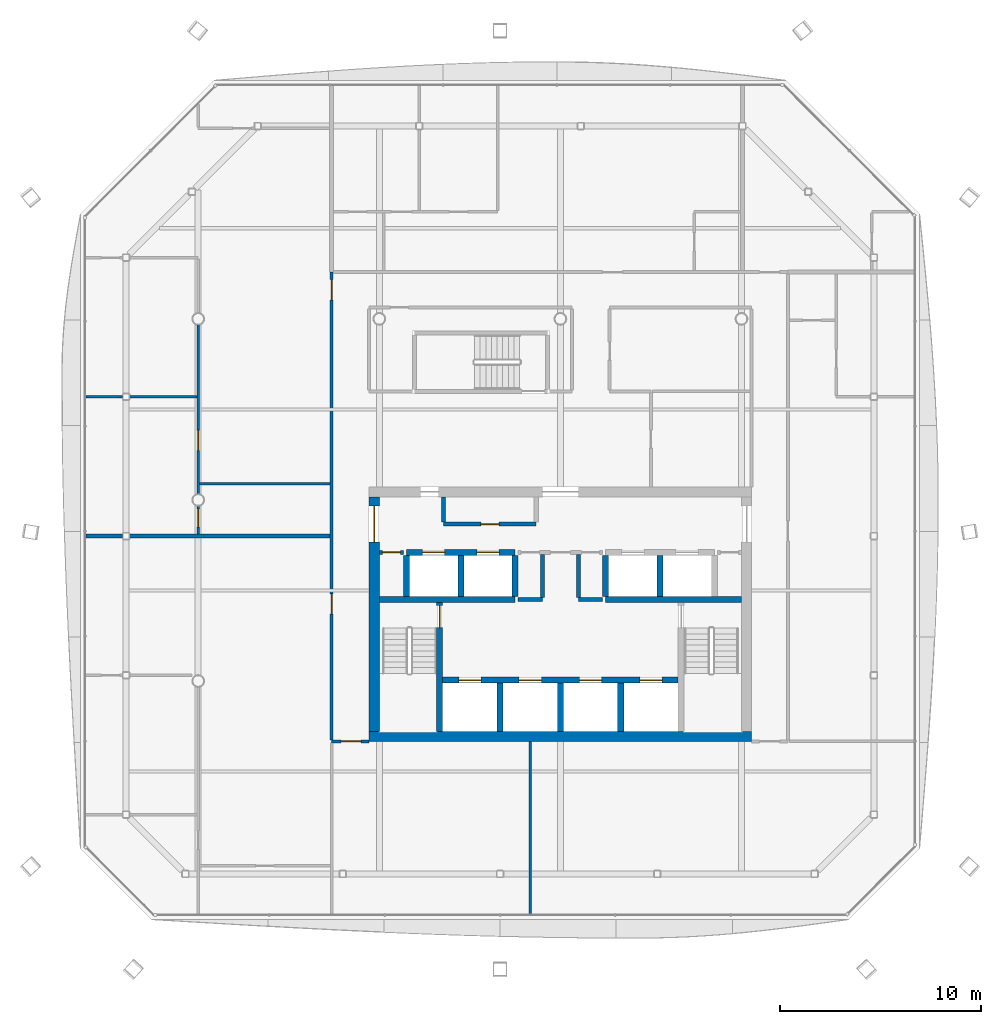
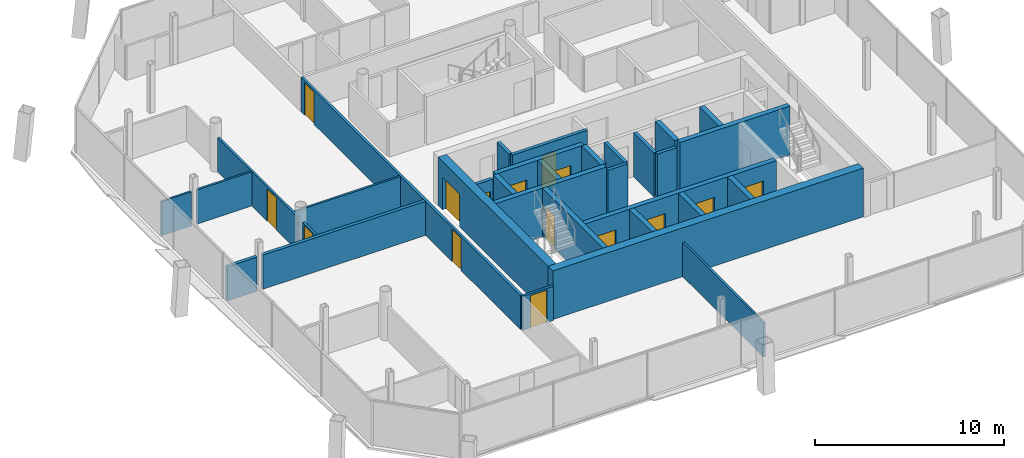
# One storey, part 14 of 20: 32 walls, 15 doors, 15 openings.
"""IFC4 building model written with IfcOpenShell, lengths in metres."""

from ifc_helpers import new_model, si_unit, direction, frame, frame_2d, origin, place, context, subcontext, project, spatial, rectangle, extrude, material, layer, layer_set, type_object, element, fill, save


model = new_model("IFC4")

# Units and contexts
model_context = context("Model", 3, precision=1e-05, world=origin(), true_north=direction((0.0, 1.0)))
body_context = subcontext(model_context, "Body", "Model", "MODEL_VIEW")
ifc_project = project(units=[si_unit("LENGTHUNIT", "METRE"), si_unit("AREAUNIT", "SQUARE_METRE"), si_unit("VOLUMEUNIT", "CUBIC_METRE"), si_unit("PLANEANGLEUNIT", "RADIAN"), si_unit("MASSUNIT", "GRAM", prefix="KILO")], contexts=[model_context])

# Site, building, storey
site_placement = place(None, origin())
site = spatial("IfcSite", under=ifc_project, at=site_placement, CompositionType="ELEMENT")
building_placement = place(site_placement, origin())
building = spatial("IfcBuilding", under=site, at=building_placement, Name="Tskaro Facet Tower", CompositionType="ELEMENT")
storey_placement = place(building_placement, frame((0.0, 0.0, 187.949951171875)))
storey = spatial("IfcBuildingStorey", under=building, at=storey_placement, Name="L47", CompositionType="ELEMENT", Elevation=187.949951171875)

# Wall, openings, doors
ifc_material_1 = material(Name="Concrete C60/75", Category="concrete")
ifc_layer_1 = layer(ifc_material_1, 0.300048828125, Name="Concrete C60/75")
ifc_layer_set_1 = layer_set([ifc_layer_1], Name="Concrete C60/75")
wall_type_1 = type_object("IfcWallType", Name="CORE-SHAFT", PredefinedType="SHEAR", material=ifc_layer_set_1)
wall_1_placement = place(storey_placement, frame((-5.85009765625, -8.949951171875, 0.0), z_axis=(0.0, 0.0, 1.0), x_axis=(1.0, 0.0, 0.0)))
wall_1 = element("IfcWall", 1, at=wall_1_placement, inside=storey, type_object=wall_type_1, Name="Shaft wall W007", PredefinedType="SHEAR", context=body_context, shape_type="SweptSolid", body=[
    extrude(rectangle(XDim=11.7001953125, YDim=0.300048828125, at=frame_2d((5.85009765625, 0.0))), origin(), (0.0, 0.0, 1.0), 3.150146484375),
])
opening_1_placement = place(wall_1_placement, frame((0.800048828125, 0.0, 0.0)))
opening_1 = element("IfcOpeningElement", 2, at=opening_1_placement, cuts=wall_1, Name="Opening LD-FF1", PredefinedType="OPENING", context=body_context, shape_type="SweptSolid", body=[
    extrude(rectangle(XDim=1.10009765625, YDim=2.10009765625, at=frame_2d((0.550048828125, 1.050048828125))), frame((0.0, 0.159912109375, 0.0), z_axis=(0.0, -1.0, 0.0), x_axis=(1.0, 0.0, 0.0)), (0.0, 0.0, 1.0), 0.320068359375),
])
opening_2_placement = place(wall_1_placement, frame((3.800048828125, 0.0, 0.0)))
opening_2 = element("IfcOpeningElement", 3, at=opening_2_placement, cuts=wall_1, Name="Opening LD-FF2", PredefinedType="OPENING", context=body_context, shape_type="SweptSolid", body=[
    extrude(rectangle(XDim=1.10009765625, YDim=2.10009765625, at=frame_2d((0.550048828125, 1.050048828125))), frame((0.0, 0.159912109375, 0.0), z_axis=(0.0, -1.0, 0.0), x_axis=(1.0, 0.0, 0.0)), (0.0, 0.0, 1.0), 0.320068359375),
])
opening_3_placement = place(wall_1_placement, frame((6.800048828125, 0.0, 0.0)))
opening_3 = element("IfcOpeningElement", 4, at=opening_3_placement, cuts=wall_1, Name="Opening LD-SV1", PredefinedType="OPENING", context=body_context, shape_type="SweptSolid", body=[
    extrude(rectangle(XDim=1.10009765625, YDim=2.10009765625, at=frame_2d((0.550048828125, 1.050048828125))), frame((0.0, 0.159912109375, 0.0), z_axis=(0.0, -1.0, 0.0), x_axis=(1.0, 0.0, 0.0)), (0.0, 0.0, 1.0), 0.320068359375),
])
opening_4_placement = place(wall_1_placement, frame((9.800048828125, 0.0, 0.0)))
opening_4 = element("IfcOpeningElement", 5, at=opening_4_placement, cuts=wall_1, Name="Opening LD-SV2", PredefinedType="OPENING", context=body_context, shape_type="SweptSolid", body=[
    extrude(rectangle(XDim=1.10009765625, YDim=2.10009765625, at=frame_2d((0.550048828125, 1.050048828125))), frame((0.0, 0.159912109375, 0.0), z_axis=(0.0, -1.0, 0.0), x_axis=(1.0, 0.0, 0.0)), (0.0, 0.0, 1.0), 0.320068359375),
])
ifc_material_2 = material(Name="Stainless steel", Category="steel")
door_type_1 = type_object("IfcDoorType", Name="D-LANDING", OperationType="NOTDEFINED", PredefinedType="DOOR", material=ifc_material_2)
door_1_placement = place(opening_1_placement, origin())
door_1 = element("IfcDoor", 6, at=door_1_placement, inside=storey, type_object=door_type_1, Name="Landing door FF1", OperationType="DOUBLE_DOOR_SLIDING", OverallHeight=2.10009765625, OverallWidth=1.10009765625, PredefinedType="DOOR", context=body_context, shape_type="SweptSolid", body=[
    extrude(rectangle(XDim=1.10009765625, YDim=2.10009765625, at=frame_2d((0.550048828125, 1.050048828125))), frame((0.0, 0.02490234375, 0.0), z_axis=(0.0, -1.0, 0.0), x_axis=(1.0, 0.0, 0.0)), (0.0, 0.0, 1.0), 0.050048828125),
])
fill(opening_1, door_1)
door_2_placement = place(opening_2_placement, origin())
door_2 = element("IfcDoor", 7, at=door_2_placement, inside=storey, type_object=door_type_1, Name="Landing door FF2", OperationType="DOUBLE_DOOR_SLIDING", OverallHeight=2.10009765625, OverallWidth=1.10009765625, PredefinedType="DOOR", context=body_context, shape_type="SweptSolid", body=[
    extrude(rectangle(XDim=1.10009765625, YDim=2.10009765625, at=frame_2d((0.550048828125, 1.050048828125))), frame((0.0, 0.02490234375, 0.0), z_axis=(0.0, -1.0, 0.0), x_axis=(1.0, 0.0, 0.0)), (0.0, 0.0, 1.0), 0.050048828125),
])
fill(opening_2, door_2)
door_3_placement = place(opening_3_placement, origin())
door_3 = element("IfcDoor", 8, at=door_3_placement, inside=storey, type_object=door_type_1, Name="Landing door SV1", OperationType="DOUBLE_DOOR_SLIDING", OverallHeight=2.10009765625, OverallWidth=1.10009765625, PredefinedType="DOOR", context=body_context, shape_type="SweptSolid", body=[
    extrude(rectangle(XDim=1.10009765625, YDim=2.10009765625, at=frame_2d((0.550048828125, 1.050048828125))), frame((0.0, 0.02490234375, 0.0), z_axis=(0.0, -1.0, 0.0), x_axis=(1.0, 0.0, 0.0)), (0.0, 0.0, 1.0), 0.050048828125),
])
fill(opening_3, door_3)
door_4_placement = place(opening_4_placement, origin())
door_4 = element("IfcDoor", 9, at=door_4_placement, inside=storey, type_object=door_type_1, Name="Landing door SV2", OperationType="DOUBLE_DOOR_SLIDING", OverallHeight=2.10009765625, OverallWidth=1.10009765625, PredefinedType="DOOR", context=body_context, shape_type="SweptSolid", body=[
    extrude(rectangle(XDim=1.10009765625, YDim=2.10009765625, at=frame_2d((0.550048828125, 1.050048828125))), frame((0.0, 0.02490234375, 0.0), z_axis=(0.0, -1.0, 0.0), x_axis=(1.0, 0.0, 0.0)), (0.0, 0.0, 1.0), 0.050048828125),
])
fill(opening_4, door_4)

# Walls
for number, where, z_axis, x_axis, name in (
    (10, (-9.0, -4.949951171875, 0.0), (0.0, 0.0, 1.0), (1.0, 0.0, 0.0), "Shaft wall W010"),
    (11, (2.25, -4.949951171875, 0.0), (0.0, 0.0, 1.0), (1.0, 0.0, 0.0), "Shaft wall W013"),
):
    element("IfcWall", number, at=place(storey_placement, frame(where, z_axis=z_axis, x_axis=x_axis)), inside=storey, type_object=wall_type_1, Name=name, PredefinedType="SHEAR", context=body_context, shape_type="SweptSolid", body=[
        extrude(rectangle(XDim=6.75, YDim=0.300048828125, at=frame_2d((3.375, 0.0))), origin(), (0.0, 0.0, 1.0), 3.150146484375),
    ])

# Wall, openings, doors
wall_2_placement = place(storey_placement, frame((-7.64990234375, -2.60009765625, 0.0), z_axis=(0.0, 0.0, 1.0), x_axis=(1.0, 0.0, 0.0)))
wall_2 = element("IfcWall", 12, at=wall_2_placement, inside=storey, type_object=wall_type_1, Name="Shaft wall W015", PredefinedType="SHEAR", context=body_context, shape_type="SweptSolid", body=[
    extrude(rectangle(XDim=5.39990234375, YDim=0.300048828125, at=frame_2d((2.699951171875, 0.0))), origin(), (0.0, 0.0, 1.0), 3.150146484375),
])
opening_5_placement = place(wall_2_placement, frame((0.800048828125, 0.0, 0.0)))
opening_5 = element("IfcOpeningElement", 13, at=opening_5_placement, cuts=wall_2, Name="Opening LD-HB1", PredefinedType="OPENING", context=body_context, shape_type="SweptSolid", body=[
    extrude(rectangle(XDim=1.10009765625, YDim=2.10009765625, at=frame_2d((0.550048828125, 1.050048828125))), frame((0.0, 0.159912109375, 0.0), z_axis=(0.0, -1.0, 0.0), x_axis=(1.0, 0.0, 0.0)), (0.0, 0.0, 1.0), 0.320068359375),
])
opening_6_placement = place(wall_2_placement, frame((3.5, 0.0, 0.0)))
opening_6 = element("IfcOpeningElement", 14, at=opening_6_placement, cuts=wall_2, Name="Opening LD-HB2", PredefinedType="OPENING", context=body_context, shape_type="SweptSolid", body=[
    extrude(rectangle(XDim=1.10009765625, YDim=2.10009765625, at=frame_2d((0.550048828125, 1.050048828125))), frame((0.0, 0.159912109375, 0.0), z_axis=(0.0, -1.0, 0.0), x_axis=(1.0, 0.0, 0.0)), (0.0, 0.0, 1.0), 0.320068359375),
])
door_5_placement = place(opening_5_placement, origin())
door_5 = element("IfcDoor", 15, at=door_5_placement, inside=storey, type_object=door_type_1, Name="Landing door HB1", OperationType="DOUBLE_DOOR_SLIDING", OverallHeight=2.10009765625, OverallWidth=1.10009765625, PredefinedType="DOOR", context=body_context, shape_type="SweptSolid", body=[
    extrude(rectangle(XDim=1.10009765625, YDim=2.10009765625, at=frame_2d((0.550048828125, 1.050048828125))), frame((0.0, 0.02490234375, 0.0), z_axis=(0.0, -1.0, 0.0), x_axis=(1.0, 0.0, 0.0)), (0.0, 0.0, 1.0), 0.050048828125),
])
fill(opening_5, door_5)
door_6_placement = place(opening_6_placement, origin())
door_6 = element("IfcDoor", 16, at=door_6_placement, inside=storey, type_object=door_type_1, Name="Landing door HB2", OperationType="DOUBLE_DOOR_SLIDING", OverallHeight=2.10009765625, OverallWidth=1.10009765625, PredefinedType="DOOR", context=body_context, shape_type="SweptSolid", body=[
    extrude(rectangle(XDim=1.10009765625, YDim=2.10009765625, at=frame_2d((0.550048828125, 1.050048828125))), frame((0.0, 0.02490234375, 0.0), z_axis=(0.0, -1.0, 0.0), x_axis=(1.0, 0.0, 0.0)), (0.0, 0.0, 1.0), 0.050048828125),
])
fill(opening_6, door_6)

# Wall
wall_3_placement = place(storey_placement, frame((-7.64990234375, -4.800048828125, 0.0), z_axis=(0.0, 0.0, 1.0), x_axis=(0.0, 1.0, 0.0)))
element("IfcWall", 17, at=wall_3_placement, inside=storey, type_object=wall_type_1, Name="Shaft wall W055", PredefinedType="SHEAR", context=body_context, shape_type="SweptSolid", body=[
    extrude(rectangle(XDim=2.050048828125, YDim=0.300048828125, at=frame_2d((1.02490234375, 0.0))), origin(), (0.0, 0.0, 1.0), 3.150146484375),
])

# Wall, opening, door
wall_4_placement = place(storey_placement, frame((-6.0, -11.5, 0.0), z_axis=(0.0, 0.0, 1.0), x_axis=(0.0, 1.0, 0.0)))
wall_4 = element("IfcWall", 18, at=wall_4_placement, inside=storey, type_object=wall_type_1, Name="Shaft wall W059", PredefinedType="SHEAR", context=body_context, shape_type="SweptSolid", body=[
    extrude(rectangle(XDim=6.39990234375, YDim=0.300048828125, at=frame_2d((3.199951171875, 0.0))), origin(), (0.0, 0.0, 1.0), 3.150146484375),
])
opening_7_placement = place(wall_4_placement, frame((5.14990234375, 0.0, 0.0)))
opening_7 = element("IfcOpeningElement", 19, at=opening_7_placement, cuts=wall_4, Name="Opening ST-1-D1", PredefinedType="OPENING", context=body_context, shape_type="SweptSolid", body=[
    extrude(rectangle(XDim=1.10009765625, YDim=2.10009765625, at=frame_2d((0.550048828125, 1.050048828125))), frame((0.0, 0.159912109375, 0.0), z_axis=(0.0, -1.0, 0.0), x_axis=(1.0, 0.0, 0.0)), (0.0, 0.0, 1.0), 0.320068359375),
])
ifc_material_3 = material(Name="Steel", Category="steel")
door_type_2 = type_object("IfcDoorType", Name="D-STAIR", OperationType="NOTDEFINED", PredefinedType="DOOR", material=ifc_material_3)
door_7_placement = place(opening_7_placement, origin())
door_7 = element("IfcDoor", 20, at=door_7_placement, inside=storey, type_object=door_type_2, Name="Stair door 1", OperationType="SINGLE_SWING_LEFT", OverallHeight=2.10009765625, OverallWidth=1.10009765625, PredefinedType="DOOR", context=body_context, shape_type="SweptSolid", body=[
    extrude(rectangle(XDim=1.10009765625, YDim=2.10009765625, at=frame_2d((0.550048828125, 1.050048828125))), frame((0.0, 0.02490234375, 0.0), z_axis=(0.0, -1.0, 0.0), x_axis=(1.0, 0.0, 0.0)), (0.0, 0.0, 1.0), 0.050048828125),
])
fill(opening_7, door_7)

# Walls
wall_5_placement = place(storey_placement, frame((-4.949951171875, -4.800048828125, 0.0), z_axis=(0.0, 0.0, 1.0), x_axis=(0.0, 1.0, 0.0)))
element("IfcWall", 21, at=wall_5_placement, inside=storey, type_object=wall_type_1, Name="Shaft wall W061", PredefinedType="SHEAR", context=body_context, shape_type="SweptSolid", body=[
    extrude(rectangle(XDim=2.050048828125, YDim=0.300048828125, at=frame_2d((1.02490234375, 0.0))), origin(), (0.0, 0.0, 1.0), 3.150146484375),
])
wall_6_placement = place(storey_placement, frame((-3.0, -11.5, 0.0), z_axis=(0.0, 0.0, 1.0), x_axis=(0.0, 1.0, 0.0)))
element("IfcWall", 22, at=wall_6_placement, inside=storey, type_object=wall_type_1, Name="Shaft wall W063", PredefinedType="SHEAR", context=body_context, shape_type="SweptSolid", body=[
    extrude(rectangle(XDim=2.39990234375, YDim=0.300048828125, at=frame_2d((1.199951171875, 0.0))), origin(), (0.0, 0.0, 1.0), 3.150146484375),
])
wall_7_placement = place(storey_placement, frame((-2.25, -4.800048828125, 0.0), z_axis=(0.0, 0.0, 1.0), x_axis=(0.0, 1.0, 0.0)))
element("IfcWall", 23, at=wall_7_placement, inside=storey, type_object=wall_type_1, Name="Shaft wall W064", PredefinedType="SHEAR", context=body_context, shape_type="SweptSolid", body=[
    extrude(rectangle(XDim=2.050048828125, YDim=0.300048828125, at=frame_2d((1.02490234375, 0.0))), origin(), (0.0, 0.0, 1.0), 3.150146484375),
])
wall_8_placement = place(storey_placement, frame((0.0, -11.5, 0.0), z_axis=(0.0, 0.0, 1.0), x_axis=(0.0, 1.0, 0.0)))
element("IfcWall", 24, at=wall_8_placement, inside=storey, type_object=wall_type_1, Name="Shaft wall W069", PredefinedType="SHEAR", context=body_context, shape_type="SweptSolid", body=[
    extrude(rectangle(XDim=2.39990234375, YDim=0.300048828125, at=frame_2d((1.199951171875, 0.0))), origin(), (0.0, 0.0, 1.0), 3.150146484375),
])
wall_9_placement = place(storey_placement, frame((2.25, -4.800048828125, 0.0), z_axis=(0.0, 0.0, 1.0), x_axis=(0.0, 1.0, 0.0)))
element("IfcWall", 25, at=wall_9_placement, inside=storey, type_object=wall_type_1, Name="Shaft wall W072", PredefinedType="SHEAR", context=body_context, shape_type="SweptSolid", body=[
    extrude(rectangle(XDim=2.050048828125, YDim=0.300048828125, at=frame_2d((1.02490234375, 0.0))), origin(), (0.0, 0.0, 1.0), 3.150146484375),
])
wall_10_placement = place(storey_placement, frame((3.0, -11.5, 0.0), z_axis=(0.0, 0.0, 1.0), x_axis=(0.0, 1.0, 0.0)))
element("IfcWall", 26, at=wall_10_placement, inside=storey, type_object=wall_type_1, Name="Shaft wall W074", PredefinedType="SHEAR", context=body_context, shape_type="SweptSolid", body=[
    extrude(rectangle(XDim=2.39990234375, YDim=0.300048828125, at=frame_2d((1.199951171875, 0.0))), origin(), (0.0, 0.0, 1.0), 3.150146484375),
])
wall_11_placement = place(storey_placement, frame((4.949951171875, -4.800048828125, 0.0), z_axis=(0.0, 0.0, 1.0), x_axis=(0.0, 1.0, 0.0)))
element("IfcWall", 27, at=wall_11_placement, inside=storey, type_object=wall_type_1, Name="Shaft wall W076", PredefinedType="SHEAR", context=body_context, shape_type="SweptSolid", body=[
    extrude(rectangle(XDim=2.050048828125, YDim=0.300048828125, at=frame_2d((1.02490234375, 0.0))), origin(), (0.0, 0.0, 1.0), 3.150146484375),
])
ifc_material_4 = material(Name="Concrete C20/25", Category="concrete")
ifc_layer_2 = layer(ifc_material_4, 0.199951171875, Name="Concrete C20/25")
ifc_layer_set_2 = layer_set([ifc_layer_2], Name="Concrete C20/25")
wall_type_2 = type_object("IfcWallType", Name="CORE-WALL", PredefinedType="SOLIDWALL", material=ifc_layer_set_2)
for number, where, z_axis, x_axis, name in (
    (28, (-2.10009765625, -4.949951171875, 0.0), (0.0, 0.0, 1.0), (1.0, 0.0, 0.0), "Core room wall W011"),
    (29, (0.89990234375, -4.949951171875, 0.0), (0.0, 0.0, 1.0), (1.0, 0.0, 0.0), "Core room wall W012"),
):
    element("IfcWall", number, at=place(storey_placement, frame(where, z_axis=z_axis, x_axis=x_axis)), inside=storey, type_object=wall_type_2, Name=name, PredefinedType="SOLIDWALL", context=body_context, shape_type="SweptSolid", body=[
        extrude(rectangle(XDim=1.2001953125, YDim=0.199951171875, at=frame_2d((0.60009765625, 0.0))), origin(), (0.0, 0.0, 1.0), 2.85009765625),
    ])

# Wall, opening, door
wall_12_placement = place(storey_placement, frame((-7.800048828125, -2.60009765625, 0.0), z_axis=(0.0, 0.0, 1.0), x_axis=(-1.0, 0.0, 0.0)))
wall_12 = element("IfcWall", 30, at=wall_12_placement, inside=storey, type_object=wall_type_2, Name="Core room wall W014", PredefinedType="SOLIDWALL", context=body_context, shape_type="SweptSolid", body=[
    extrude(rectangle(XDim=1.199951171875, YDim=0.199951171875, at=frame_2d((0.60009765625, 0.0))), origin(), (0.0, 0.0, 1.0), 2.85009765625),
])
opening_8_placement = place(wall_12_placement, frame((0.14990234375, 0.0, 0.0)))
opening_8 = element("IfcOpeningElement", 31, at=opening_8_placement, cuts=wall_12, Name="Opening T13-D07", PredefinedType="OPENING", context=body_context, shape_type="SweptSolid", body=[
    extrude(rectangle(XDim=0.89990234375, YDim=2.10009765625, at=frame_2d((0.449951171875, 1.050048828125))), frame((0.0, 0.10986328125, 0.0), z_axis=(0.0, -1.0, 0.0), x_axis=(1.0, 0.0, 0.0)), (0.0, 0.0, 1.0), 0.219970703125),
])
ifc_material_5 = material(Name="Timber", Category="wood")
door_type_3 = type_object("IfcDoorType", Name="D-ROOM", OperationType="NOTDEFINED", PredefinedType="DOOR", material=ifc_material_5)
door_8_placement = place(opening_8_placement, origin())
door_8 = element("IfcDoor", 32, at=door_8_placement, inside=storey, type_object=door_type_3, Name="Door T13-D07", OperationType="SINGLE_SWING_RIGHT", OverallHeight=2.10009765625, OverallWidth=0.89990234375, PredefinedType="DOOR", context=body_context, shape_type="SweptSolid", body=[
    extrude(rectangle(XDim=0.89990234375, YDim=2.10009765625, at=frame_2d((0.449951171875, 1.050048828125))), frame((0.0, 0.02490234375, 0.0), z_axis=(0.0, -1.0, 0.0), x_axis=(1.0, 0.0, 0.0)), (0.0, 0.0, 1.0), 0.050048828125),
])
fill(opening_8, door_8)

wall_13_placement = place(storey_placement, frame((-5.800048828125, -1.199951171875, 0.0), z_axis=(0.0, 0.0, 1.0), x_axis=(1.0, 0.0, 0.0)))
wall_13 = element("IfcWall", 33, at=wall_13_placement, inside=storey, type_object=wall_type_2, Name="Core room wall W021", PredefinedType="SOLIDWALL", context=body_context, shape_type="SweptSolid", body=[
    extrude(rectangle(XDim=4.60009765625, YDim=0.199951171875, at=frame_2d((2.300048828125, 0.0))), origin(), (0.0, 0.0, 1.0), 2.85009765625),
])
opening_9_placement = place(wall_13_placement, frame((1.85009765625, 0.0, 0.0)))
opening_9 = element("IfcOpeningElement", 34, at=opening_9_placement, cuts=wall_13, Name="Opening T13-D13", PredefinedType="OPENING", context=body_context, shape_type="SweptSolid", body=[
    extrude(rectangle(XDim=0.89990234375, YDim=2.10009765625, at=frame_2d((0.449951171875, 1.050048828125))), frame((0.0, 0.10986328125, 0.0), z_axis=(0.0, -1.0, 0.0), x_axis=(1.0, 0.0, 0.0)), (0.0, 0.0, 1.0), 0.219970703125),
])
door_9_placement = place(opening_9_placement, origin())
door_9 = element("IfcDoor", 35, at=door_9_placement, inside=storey, type_object=door_type_3, Name="Door T13-D13", OperationType="SINGLE_SWING_LEFT", OverallHeight=2.10009765625, OverallWidth=0.89990234375, PredefinedType="DOOR", context=body_context, shape_type="SweptSolid", body=[
    extrude(rectangle(XDim=0.89990234375, YDim=2.10009765625, at=frame_2d((0.449951171875, 1.050048828125))), frame((0.0, 0.02490234375, 0.0), z_axis=(0.0, -1.0, 0.0), x_axis=(1.0, 0.0, 0.0)), (0.0, 0.0, 1.0), 0.050048828125),
])
fill(opening_9, door_9)

# Walls
wall_14_placement = place(storey_placement, frame((-5.800048828125, -1.10009765625, 0.0), z_axis=(0.0, 0.0, 1.0), x_axis=(0.0, 1.0, 0.0)))
element("IfcWall", 36, at=wall_14_placement, inside=storey, type_object=wall_type_2, Name="Core room wall W060", PredefinedType="SOLIDWALL", context=body_context, shape_type="SweptSolid", body=[
    extrude(rectangle(XDim=1.25, YDim=0.199951171875, at=frame_2d((0.625, 0.0))), origin(), (0.0, 0.0, 1.0), 2.85009765625),
])
for number, where, z_axis, x_axis, name in (
    (37, (-0.89990234375, -4.85009765625, 0.0), (0.0, 0.0, 1.0), (0.0, 1.0, 0.0), "Core room wall W067"),
    (38, (0.89990234375, -4.85009765625, 0.0), (0.0, 0.0, 1.0), (0.0, 1.0, 0.0), "Core room wall W071"),
):
    element("IfcWall", number, at=place(storey_placement, frame(where, z_axis=z_axis, x_axis=x_axis)), inside=storey, type_object=wall_type_2, Name=name, PredefinedType="SOLIDWALL", context=body_context, shape_type="SweptSolid", body=[
        extrude(rectangle(XDim=2.150146484375, YDim=0.199951171875, at=frame_2d((1.0751953125, 0.0))), origin(), (0.0, 0.0, 1.0), 2.85009765625),
    ])
ifc_material_6 = material(Name="Concrete C40/50", Category="concrete")
ifc_layer_3 = layer(ifc_material_6, 0.5, Name="Concrete C40/50")
ifc_layer_set_3 = layer_set([ifc_layer_3], Name="Concrete C40/50")
wall_type_3 = type_object("IfcWallType", Name="Core wall 500", PredefinedType="SHEAR", material=ifc_layer_set_3)
wall_15_placement = place(storey_placement, frame((-9.5, -11.75, 0.0), z_axis=(0.0, 0.0, 1.0), x_axis=(1.0, 0.0, 0.0)))
element("IfcWall", 39, at=wall_15_placement, inside=storey, type_object=wall_type_3, Name="Core wall CW-Z3S", PredefinedType="SHEAR", context=body_context, shape_type="SweptSolid", body=[
    extrude(rectangle(XDim=19.0, YDim=0.5, at=frame_2d((9.5, 0.0))), origin(), (0.0, 0.0, 1.0), 3.150146484375),
])

# Wall, opening, door
wall_16_placement = place(storey_placement, frame((-9.25, -11.5, 0.0), z_axis=(0.0, 0.0, 1.0), x_axis=(0.0, 1.0, 0.0)))
wall_16 = element("IfcWall", 40, at=wall_16_placement, inside=storey, type_object=wall_type_3, Name="Core wall CW-Z3W", PredefinedType="SHEAR", context=body_context, shape_type="SweptSolid", body=[
    extrude(rectangle(XDim=11.64990234375, YDim=0.5, at=frame_2d((5.824951171875, 0.0))), origin(), (0.0, 0.0, 1.0), 3.150146484375),
])
opening_10_placement = place(wall_16_placement, frame((9.39990234375, 0.0, 0.0)))
opening_10 = element("IfcOpeningElement", 41, at=opening_10_placement, cuts=wall_16, Name="Opening T13-D12", PredefinedType="OPENING", context=body_context, shape_type="SweptSolid", body=[
    extrude(rectangle(XDim=1.800048828125, YDim=2.10009765625, at=frame_2d((0.89990234375, 1.050048828125))), frame((0.0, 0.260009765625, 0.0), z_axis=(0.0, -1.0, 0.0), x_axis=(1.0, 0.0, 0.0)), (0.0, 0.0, 1.0), 0.52001953125),
])
door_type_4 = type_object("IfcDoorType", Name="D-CORE-PAIR", OperationType="NOTDEFINED", PredefinedType="DOOR", material=ifc_material_3)
door_10_placement = place(opening_10_placement, origin())
door_10 = element("IfcDoor", 42, at=door_10_placement, inside=storey, type_object=door_type_4, Name="Door T13-D12", OperationType="DOUBLE_DOOR_SINGLE_SWING", OverallHeight=2.10009765625, OverallWidth=1.800048828125, PredefinedType="DOOR", context=body_context, shape_type="SweptSolid", body=[
    extrude(rectangle(XDim=1.800048828125, YDim=2.10009765625, at=frame_2d((0.89990234375, 1.050048828125))), frame((0.0, 0.02490234375, 0.0), z_axis=(0.0, -1.0, 0.0), x_axis=(1.0, 0.0, 0.0)), (0.0, 0.0, 1.0), 0.050048828125),
])
fill(opening_10, door_10)

# Walls
ifc_material_7 = material(Name="Gypsum board on steel studs", Category="steel")
ifc_layer_4 = layer(ifc_material_7, 0.125, Name="Gypsum board on steel studs")
ifc_layer_set_4 = layer_set([ifc_layer_4], Name="Gypsum board on steel studs")
wall_type_4 = type_object("IfcWallType", Name="PART", PredefinedType="PARTITIONING", material=ifc_layer_set_4)
wall_17_placement = place(storey_placement, frame((-17.9375, 0.804931640625, 0.0), z_axis=(0.0, 0.0, 1.0), x_axis=(1.0, 0.0, 0.0)))
element("IfcWall", 43, at=wall_17_placement, inside=storey, type_object=wall_type_4, Name="Partition W022", PredefinedType="PARTITIONING", context=body_context, shape_type="SweptSolid", body=[
    extrude(rectangle(XDim=6.487548828125, YDim=0.125, at=frame_2d((3.24365234375, 0.0))), origin(), (0.0, 0.0, 1.0), 2.2099609375),
])
wall_18_placement = place(storey_placement, frame((-23.577880859375, 5.125, 0.0), z_axis=(0.0, 0.0, 1.0), x_axis=(1.0, 0.0, 0.0)))
element("IfcWall", 44, at=wall_18_placement, inside=storey, type_object=wall_type_4, Name="Partition W023", PredefinedType="PARTITIONING", context=body_context, shape_type="SweptSolid", body=[
    extrude(rectangle(XDim=1.81982421875, YDim=0.125, at=frame_2d((0.909912109375, 0.0))), origin(), (0.0, 0.0, 1.0), 2.2099609375),
])
wall_19_placement = place(storey_placement, frame((-21.407958984375, 5.125, 0.0), z_axis=(0.0, 0.0, 1.0), x_axis=(1.0, 0.0, 0.0)))
element("IfcWall", 45, at=wall_19_placement, inside=storey, type_object=wall_type_4, Name="Partition W024", PredefinedType="PARTITIONING", context=body_context, shape_type="SweptSolid", body=[
    extrude(rectangle(XDim=3.345458984375, YDim=0.125, at=frame_2d((1.6728515625, 0.0))), origin(), (0.0, 0.0, 1.0), 2.2099609375),
])

# Wall, opening, door
wall_20_placement = place(storey_placement, frame((-18.0, -0.304931640625, 0.0), z_axis=(0.0, 0.0, 1.0), x_axis=(0.0, -1.0, 0.0)))
wall_20 = element("IfcWall", 46, at=wall_20_placement, inside=storey, type_object=wall_type_4, Name="Partition W046", PredefinedType="PARTITIONING", context=body_context, shape_type="SweptSolid", body=[
    extrude(rectangle(XDim=1.39013671875, YDim=0.125, at=frame_2d((0.695068359375, 0.0))), origin(), (0.0, 0.0, 1.0), 2.2099609375),
])
opening_11_placement = place(wall_20_placement, frame((0.14990234375, 0.0, 0.0)))
opening_11 = element("IfcOpeningElement", 47, at=opening_11_placement, cuts=wall_20, Name="Opening T13-D15", PredefinedType="OPENING", context=body_context, shape_type="SweptSolid", body=[
    extrude(rectangle(XDim=0.89990234375, YDim=2.10009765625, at=frame_2d((0.449951171875, 1.050048828125))), frame((0.0, 0.072509765625, 0.0), z_axis=(0.0, -1.0, 0.0), x_axis=(1.0, 0.0, 0.0)), (0.0, 0.0, 1.0), 0.14501953125),
])
door_11_placement = place(opening_11_placement, origin())
door_11 = element("IfcDoor", 48, at=door_11_placement, inside=storey, type_object=door_type_3, Name="Door T13-D15", OperationType="SINGLE_SWING_RIGHT", OverallHeight=2.10009765625, OverallWidth=0.89990234375, PredefinedType="DOOR", context=body_context, shape_type="SweptSolid", body=[
    extrude(rectangle(XDim=0.89990234375, YDim=2.10009765625, at=frame_2d((0.449951171875, 1.050048828125))), frame((0.0, 0.02490234375, 0.0), z_axis=(0.0, -1.0, 0.0), x_axis=(1.0, 0.0, 0.0)), (0.0, 0.0, 1.0), 0.050048828125),
])
fill(opening_11, door_11)

wall_21_placement = place(storey_placement, frame((-18.0, 0.304931640625, 0.0), z_axis=(0.0, 0.0, 1.0), x_axis=(0.0, 1.0, 0.0)))
wall_21 = element("IfcWall", 49, at=wall_21_placement, inside=storey, type_object=wall_type_4, Name="Partition W047", PredefinedType="PARTITIONING", context=body_context, shape_type="SweptSolid", body=[
    extrude(rectangle(XDim=8.39013671875, YDim=0.125, at=frame_2d((4.195068359375, 0.0))), origin(), (0.0, 0.0, 1.0), 2.2099609375),
])
opening_12_placement = place(wall_21_placement, frame((2.159912109375, 0.0, 0.0)))
opening_12 = element("IfcOpeningElement", 50, at=opening_12_placement, cuts=wall_21, Name="Opening T13-D18", PredefinedType="OPENING", context=body_context, shape_type="SweptSolid", body=[
    extrude(rectangle(XDim=1.0, YDim=2.10009765625, at=frame_2d((0.5, 1.050048828125))), frame((0.0, 0.072509765625, 0.0), z_axis=(0.0, -1.0, 0.0), x_axis=(1.0, 0.0, 0.0)), (0.0, 0.0, 1.0), 0.14501953125),
])
door_type_5 = type_object("IfcDoorType", Name="D-ROOM-WIDE", OperationType="NOTDEFINED", PredefinedType="DOOR", material=ifc_material_5)
door_12_placement = place(opening_12_placement, origin())
door_12 = element("IfcDoor", 51, at=door_12_placement, inside=storey, type_object=door_type_5, Name="Door T13-D18", OperationType="SINGLE_SWING_LEFT", OverallHeight=2.10009765625, OverallWidth=1.0, PredefinedType="DOOR", context=body_context, shape_type="SweptSolid", body=[
    extrude(rectangle(XDim=1.0, YDim=2.10009765625, at=frame_2d((0.5, 1.050048828125))), frame((0.0, 0.02490234375, 0.0), z_axis=(0.0, -1.0, 0.0), x_axis=(1.0, 0.0, 0.0)), (0.0, 0.0, 1.0), 0.050048828125),
])
fill(opening_12, door_12)

# Wall
wall_22_placement = place(storey_placement, frame((-1.5, -20.577880859375, 0.0), z_axis=(0.0, 0.0, 1.0), x_axis=(0.0, 1.0, 0.0)))
element("IfcWall", 52, at=wall_22_placement, inside=storey, type_object=wall_type_4, Name="Partition W065", PredefinedType="PARTITIONING", context=body_context, shape_type="SweptSolid", body=[
    extrude(rectangle(XDim=8.577880859375, YDim=0.125, at=frame_2d((4.2890625, 0.0))), origin(), (0.0, 0.0, 1.0), 2.2099609375),
])

# Wall, opening, door
ifc_layer_5 = layer(ifc_material_7, 0.14990234375, Name="Gypsum board on steel studs")
ifc_layer_set_5 = layer_set([ifc_layer_5], Name="Gypsum board on steel studs")
wall_type_5 = type_object("IfcWallType", Name="PART-CORR", PredefinedType="PARTITIONING", material=ifc_layer_set_5)
wall_23_placement = place(storey_placement, frame((-9.5, -12.0, 0.0), z_axis=(0.0, 0.0, 1.0), x_axis=(-1.0, 0.0, 0.0)))
wall_23 = element("IfcWall", 53, at=wall_23_placement, inside=storey, type_object=wall_type_5, Name="Corridor wall W004", PredefinedType="PARTITIONING", context=body_context, shape_type="SweptSolid", body=[
    extrude(rectangle(XDim=1.875, YDim=0.14990234375, at=frame_2d((0.9375, 0.0))), origin(), (0.0, 0.0, 1.0), 2.2099609375),
])
opening_13_placement = place(wall_23_placement, frame((0.39990234375, 0.0, 0.0)))
opening_13 = element("IfcOpeningElement", 54, at=opening_13_placement, cuts=wall_23, Name="Opening T13-D03", PredefinedType="OPENING", context=body_context, shape_type="SweptSolid", body=[
    extrude(rectangle(XDim=1.0, YDim=2.10009765625, at=frame_2d((0.5, 1.050048828125))), frame((0.0, 0.0849609375, 0.0), z_axis=(0.0, -1.0, 0.0), x_axis=(1.0, 0.0, 0.0)), (0.0, 0.0, 1.0), 0.169921875),
])
door_13_placement = place(opening_13_placement, origin())
door_13 = element("IfcDoor", 55, at=door_13_placement, inside=storey, type_object=door_type_5, Name="Door T13-D03", OperationType="SINGLE_SWING_RIGHT", OverallHeight=2.10009765625, OverallWidth=1.0, PredefinedType="DOOR", context=body_context, shape_type="SweptSolid", body=[
    extrude(rectangle(XDim=1.0, YDim=2.10009765625, at=frame_2d((0.5, 1.050048828125))), frame((0.0, 0.02490234375, 0.0), z_axis=(0.0, -1.0, 0.0), x_axis=(1.0, 0.0, 0.0)), (0.0, 0.0, 1.0), 0.050048828125),
])
fill(opening_13, door_13)

# Wall, openings, doors
wall_24_placement = place(storey_placement, frame((-11.375, -11.925048828125, 0.0), z_axis=(0.0, 0.0, 1.0), x_axis=(0.0, 1.0, 0.0)))
wall_24 = element("IfcWall", 56, at=wall_24_placement, inside=storey, type_object=wall_type_5, Name="Corridor wall W051", PredefinedType="PARTITIONING", context=body_context, shape_type="SweptSolid", body=[
    extrude(rectangle(XDim=23.25, YDim=0.14990234375, at=frame_2d((11.625, 0.0))), origin(), (0.0, 0.0, 1.0), 2.2099609375),
])
opening_14_placement = place(wall_24_placement, frame((6.262451171875, 0.0, 0.0)))
opening_14 = element("IfcOpeningElement", 57, at=opening_14_placement, cuts=wall_24, Name="Opening T13-D06", PredefinedType="OPENING", context=body_context, shape_type="SweptSolid", body=[
    extrude(rectangle(XDim=1.0, YDim=2.10009765625, at=frame_2d((0.5, 1.050048828125))), frame((0.0, 0.0849609375, 0.0), z_axis=(0.0, -1.0, 0.0), x_axis=(1.0, 0.0, 0.0)), (0.0, 0.0, 1.0), 0.169921875),
])
opening_15_placement = place(wall_24_placement, frame((21.875, 0.0, 0.0)))
opening_15 = element("IfcOpeningElement", 58, at=opening_15_placement, cuts=wall_24, Name="Opening T13-D24", PredefinedType="OPENING", context=body_context, shape_type="SweptSolid", body=[
    extrude(rectangle(XDim=1.0, YDim=2.10009765625, at=frame_2d((0.5, 1.050048828125))), frame((0.0, 0.0849609375, 0.0), z_axis=(0.0, -1.0, 0.0), x_axis=(1.0, 0.0, 0.0)), (0.0, 0.0, 1.0), 0.169921875),
])
door_type_6 = type_object("IfcDoorType", Name="D-FLAT-ENTRY", OperationType="NOTDEFINED", PredefinedType="DOOR", material=ifc_material_5)
door_14_placement = place(opening_14_placement, origin())
door_14 = element("IfcDoor", 59, at=door_14_placement, inside=storey, type_object=door_type_6, Name="Door T13-D06", OperationType="SINGLE_SWING_LEFT", OverallHeight=2.10009765625, OverallWidth=1.0, PredefinedType="DOOR", context=body_context, shape_type="SweptSolid", body=[
    extrude(rectangle(XDim=1.0, YDim=2.10009765625, at=frame_2d((0.5, 1.050048828125))), frame((0.0, 0.02490234375, 0.0), z_axis=(0.0, -1.0, 0.0), x_axis=(1.0, 0.0, 0.0)), (0.0, 0.0, 1.0), 0.050048828125),
])
fill(opening_14, door_14)
door_15_placement = place(opening_15_placement, origin())
door_15 = element("IfcDoor", 60, at=door_15_placement, inside=storey, type_object=door_type_6, Name="Door T13-D24", OperationType="SINGLE_SWING_LEFT", OverallHeight=2.10009765625, OverallWidth=1.0, PredefinedType="DOOR", context=body_context, shape_type="SweptSolid", body=[
    extrude(rectangle(XDim=1.0, YDim=2.10009765625, at=frame_2d((0.5, 1.050048828125))), frame((0.0, 0.02490234375, 0.0), z_axis=(0.0, -1.0, 0.0), x_axis=(1.0, 0.0, 0.0)), (0.0, 0.0, 1.0), 0.050048828125),
])
fill(opening_15, door_15)

# Walls
ifc_layer_6 = layer(ifc_material_7, 0.199951171875, Name="Gypsum board on steel studs")
ifc_layer_set_6 = layer_set([ifc_layer_6], Name="Gypsum board on steel studs")
wall_type_6 = type_object("IfcWallType", Name="PART-DEMISING", PredefinedType="PARTITIONING", material=ifc_layer_set_6)
wall_25_placement = place(storey_placement, frame((-23.577880859375, -1.794921875, 0.0), z_axis=(0.0, 0.0, 1.0), x_axis=(1.0, 0.0, 0.0)))
element("IfcWall", 61, at=wall_25_placement, inside=storey, type_object=wall_type_6, Name="Guest room wall W019", PredefinedType="PARTITIONING", context=body_context, shape_type="SweptSolid", body=[
    extrude(rectangle(XDim=1.81982421875, YDim=0.199951171875, at=frame_2d((0.909912109375, 0.0))), origin(), (0.0, 0.0, 1.0), 2.2099609375),
])
wall_26_placement = place(storey_placement, frame((-21.407958984375, -1.794921875, 0.0), z_axis=(0.0, 0.0, 1.0), x_axis=(1.0, 0.0, 0.0)))
element("IfcWall", 62, at=wall_26_placement, inside=storey, type_object=wall_type_6, Name="Guest room wall W020", PredefinedType="PARTITIONING", context=body_context, shape_type="SweptSolid", body=[
    extrude(rectangle(XDim=9.9580078125, YDim=0.199951171875, at=frame_2d((4.97900390625, 0.0))), origin(), (0.0, 0.0, 1.0), 2.2099609375),
])

save(model, "model.ifc")
